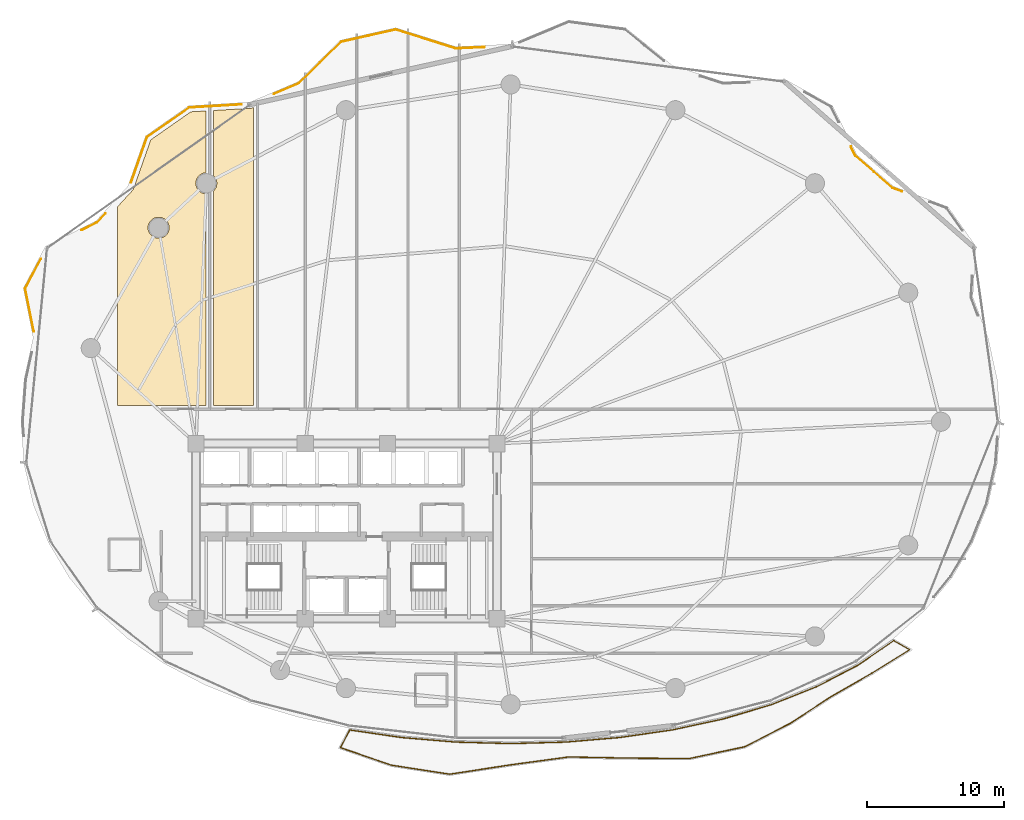
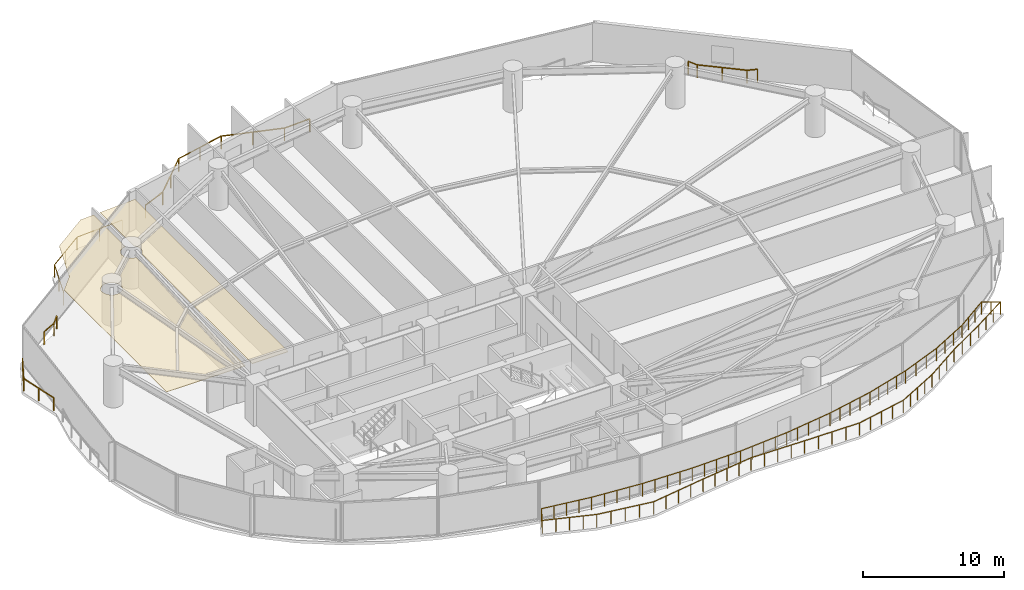
# One storey, part 30 of 31: 6 railings, 2 coverings.
"""IFC4 building model written with IfcOpenShell, lengths in metres."""

from ifc_helpers import new_model, si_unit, direction, frame, origin, origin_2d, place, context, subcontext, project, spatial, polyline, rectangle, outline, extrude, material, layer, layer_set, type_object, element, save


model = new_model("IFC4")

# Units and contexts
model_context = context("Model", 3, precision=1e-05, world=origin(), true_north=direction((0.0, 1.0)))
body_context = subcontext(model_context, "Body", "Model", "MODEL_VIEW")
ifc_project = project(units=[si_unit("LENGTHUNIT", "METRE"), si_unit("AREAUNIT", "SQUARE_METRE"), si_unit("VOLUMEUNIT", "CUBIC_METRE"), si_unit("PLANEANGLEUNIT", "RADIAN"), si_unit("MASSUNIT", "GRAM", prefix="KILO")], contexts=[model_context])

# Site, building, storey
site_placement = place(None, origin())
site = spatial("IfcSite", under=ifc_project, at=site_placement, CompositionType="ELEMENT")
building_placement = place(site_placement, origin())
building = spatial("IfcBuilding", under=site, at=building_placement, Name="Kazevale Care Tower and Concert Hall", CompositionType="ELEMENT")
storey_placement = place(building_placement, frame((0.0, 0.0, 60.0)))
storey = spatial("IfcBuildingStorey", under=building, at=storey_placement, Name="L15", CompositionType="ELEMENT", Elevation=60.0)

# Coverings
ifc_material_1 = material(Name="Acoustic Plaster and Hinoki Wood", Category="wood")
ifc_layer = layer(ifc_material_1, 0.0400390625)
ifc_layer_set = layer_set([ifc_layer], Name="Acoustic Plaster and Hinoki Wood")
covering_type = type_object("IfcCoveringType", Name="Acoustic Perforated Wood-Gypsum Ceiling", PredefinedType="CEILING", material=ifc_layer_set)
covering_1_placement = place(storey_placement, frame((0.0, 0.0, 2.7099609375)))
element("IfcCovering", 1, at=covering_1_placement, inside=storey, type_object=covering_type, Name="clg:L15:1", PredefinedType="CEILING", context=body_context, shape_type="SweptSolid", body=[
    extrude(outline(polyline([(22.719970703125, 60.717041015625), (22.719970703125, 56.2060546875), (22.4619140625, 56.15087890625), (22.2080078125, 55.98193359375), (22.0390625, 55.72802734375), (21.97998046875, 55.429931640625), (22.0390625, 55.132080078125), (22.2080078125, 54.8779296875), (22.4619140625, 54.708984375), (22.719970703125, 54.654052734375), (22.719970703125, 39.205078125), (16.280029296875, 39.205078125), (16.280029296875, 53.735107421875), (17.4130859375, 54.966064453125), (18.69189453125, 58.60302734375), (21.6201171875, 60.652099609375), (22.719970703125, 60.717041015625)]), holes=[polyline([(20.034912109375, 52.33203125), (19.9189453125, 52.613037109375), (19.702880859375, 52.8291015625), (19.422119140625, 52.945068359375), (19.117919921875, 52.945068359375), (18.8369140625, 52.8291015625), (18.62109375, 52.613037109375), (18.5048828125, 52.33203125), (18.5048828125, 52.028076171875), (18.62109375, 51.7470703125), (18.8369140625, 51.531005859375), (19.117919921875, 51.4150390625), (19.422119140625, 51.4150390625), (19.702880859375, 51.531005859375), (19.9189453125, 51.7470703125), (20.034912109375, 52.028076171875), (20.034912109375, 52.33203125)])]), origin(), (0.0, 0.0, 1.0), 0.0400390625),
])
covering_2_placement = place(storey_placement, frame((0.0, 0.0, 2.7099609375)))
element("IfcCovering", 2, at=covering_2_placement, inside=storey, type_object=covering_type, Name="clg:L15:2", PredefinedType="CEILING", context=body_context, shape_type="SweptSolid", body=[
    extrude(outline(polyline([(23.280029296875, 54.85302734375), (23.48095703125, 55.132080078125), (23.5400390625, 55.429931640625), (23.48095703125, 55.72802734375), (23.280029296875, 56.007080078125), (23.280029296875, 60.75), (26.06005859375, 60.9150390625), (26.219970703125, 60.98291015625), (26.219970703125, 39.205078125), (23.280029296875, 39.205078125), (23.280029296875, 54.85302734375)])), origin(), (0.0, 0.0, 1.0), 0.0400390625),
])

# Railings
ifc_material_2 = material(Name="Anodised Bronze Aluminium and Laminated Glass", Category="aluminium")
railing_type = type_object("IfcRailingType", Name="Balcony and Terrace Balustrade 1120", PredefinedType="BALUSTRADE", material=ifc_material_2)
railing_1_placement = place(storey_placement, frame((10.15087890625, 44.5859375, 0.0)))
element("IfcRailing", 3, at=railing_1_placement, inside=storey, type_object=railing_type, Name="rail:L15:perim:2", PredefinedType="BALUSTRADE", context=body_context, shape_type="SweptSolid", body=[
    extrude(rectangle(XDim=0.048095703125, YDim=0.048095703125, at=origin_2d()), frame((0.0, 0.0, 1.09619140625), z_axis=(-0.197415517723, 0.980319903584, 0.0), x_axis=(-0.980319903584, -0.197415517723, 0.0)), (0.0, 0.0, 1.0), 3.21533203125),
    extrude(rectangle(XDim=0.048095703125, YDim=0.048095703125, at=origin_2d()), frame((-0.634765625, 3.152099609375, 1.09619140625), z_axis=(0.467294009077, 0.884101978892, 0.0), x_axis=(-0.884101978892, 0.467294009077, 0.0)), (0.0, 0.0, 1.0), 2.45654296875),
    extrude(rectangle(XDim=0.0419921875, YDim=0.0419921875, at=origin_2d()), origin(), (0.0, 0.0, 1.0), 1.072021484375),
    extrude(rectangle(XDim=0.0419921875, YDim=0.0419921875, at=origin_2d()), frame((-0.3173828125, 1.576171875, 0.0)), (0.0, 0.0, 1.0), 1.072021484375),
    extrude(rectangle(XDim=0.0419921875, YDim=0.0419921875, at=origin_2d()), frame((-0.634765625, 3.152099609375, 0.0)), (0.0, 0.0, 1.0), 1.072021484375),
    extrude(rectangle(XDim=0.0419921875, YDim=0.0419921875, at=origin_2d()), frame((-0.060791015625, 4.238037109375, 0.0)), (0.0, 0.0, 1.0), 1.072021484375),
    extrude(rectangle(XDim=0.0419921875, YDim=0.0419921875, at=origin_2d()), frame((0.51318359375, 5.323974609375, 0.0)), (0.0, 0.0, 1.0), 1.072021484375),
])
railing_2_placement = place(storey_placement, frame((13.639892578125, 52.0, 0.0)))
element("IfcRailing", 4, at=railing_2_placement, inside=storey, type_object=railing_type, Name="rail:L15:perim:3", PredefinedType="BALUSTRADE", context=body_context, shape_type="SweptSolid", body=[
    extrude(rectangle(XDim=0.048095703125, YDim=0.048095703125, at=origin_2d()), frame((0.0, 0.0, 1.09619140625), z_axis=(0.892998785329, 0.450059073235, 0.0), x_axis=(-0.450059073235, 0.892998785329, 0.0)), (0.0, 0.0, 1.0), 1.268798828125),
    extrude(rectangle(XDim=0.048095703125, YDim=0.048095703125, at=origin_2d()), frame((1.133056640625, 0.571044921875, 1.09619140625), z_axis=(0.677347108978, 0.735663573898, 0.0), x_axis=(-0.735663573898, 0.677347108978, 0.0)), (0.0, 0.0, 1.0), 0.8916015625),
    extrude(rectangle(XDim=0.0419921875, YDim=0.0419921875, at=origin_2d()), origin(), (0.0, 0.0, 1.0), 1.072021484375),
    extrude(rectangle(XDim=0.0419921875, YDim=0.0419921875, at=origin_2d()), frame((1.133056640625, 0.571044921875, 0.0)), (0.0, 0.0, 1.0), 1.072021484375),
    extrude(rectangle(XDim=0.0419921875, YDim=0.0419921875, at=origin_2d()), frame((1.737060546875, 1.22705078125, 0.0)), (0.0, 0.0, 1.0), 1.072021484375),
])
railing_3_placement = place(storey_placement, frame((17.256103515625, 55.485107421875, 0.0)))
element("IfcRailing", 5, at=railing_3_placement, inside=storey, type_object=railing_type, Name="rail:L15:perim:4", PredefinedType="BALUSTRADE", context=body_context, shape_type="SweptSolid", body=[
    extrude(rectangle(XDim=0.048095703125, YDim=0.048095703125, at=origin_2d()), frame((0.0, 0.0, 1.09619140625), z_axis=(0.331789638428, 0.943353399226, 0.0), x_axis=(-0.943353399226, 0.331789638428, 0.0)), (0.0, 0.0, 1.0), 3.520263671875),
    extrude(rectangle(XDim=0.048095703125, YDim=0.048095703125, at=origin_2d()), frame((1.16796875, 3.32080078125, 1.09619140625), z_axis=(0.819317150276, 0.573340568304, 0.0), x_axis=(-0.573340568304, 0.819317150276, 0.0)), (0.0, 0.0, 1.0), 3.767578125),
    extrude(rectangle(XDim=0.048095703125, YDim=0.048095703125, at=origin_2d()), frame((4.2548828125, 5.48095703125, 1.09619140625), z_axis=(0.998243706138, 0.05924105971, 0.0), x_axis=(-0.05924105971, 0.998243706138, 0.0)), (0.0, 0.0, 1.0), 3.832763671875),
    extrude(rectangle(XDim=0.0419921875, YDim=0.0419921875, at=origin_2d()), origin(), (0.0, 0.0, 1.0), 1.072021484375),
    extrude(rectangle(XDim=0.0419921875, YDim=0.0419921875, at=origin_2d()), frame((0.583984375, 1.660400390625, 0.0)), (0.0, 0.0, 1.0), 1.072021484375),
    extrude(rectangle(XDim=0.0419921875, YDim=0.0419921875, at=origin_2d()), frame((1.16796875, 3.32080078125, 0.0)), (0.0, 0.0, 1.0), 1.072021484375),
    extrude(rectangle(XDim=0.0419921875, YDim=0.0419921875, at=origin_2d()), frame((2.71142578125, 4.40087890625, 0.0)), (0.0, 0.0, 1.0), 1.072021484375),
    extrude(rectangle(XDim=0.0419921875, YDim=0.0419921875, at=origin_2d()), frame((4.2548828125, 5.48095703125, 0.0)), (0.0, 0.0, 1.0), 1.072021484375),
    extrude(rectangle(XDim=0.0419921875, YDim=0.0419921875, at=origin_2d()), frame((6.16796875, 5.594482421875, 0.0)), (0.0, 0.0, 1.0), 1.072021484375),
    extrude(rectangle(XDim=0.0419921875, YDim=0.0419921875, at=origin_2d()), frame((8.080810546875, 5.7080078125, 0.0)), (0.0, 0.0, 1.0), 1.072021484375),
])
railing_4_placement = place(storey_placement, frame((27.69091796875, 61.9580078125, 0.0)))
element("IfcRailing", 6, at=railing_4_placement, inside=storey, type_object=railing_type, Name="rail:L15:perim:5", PredefinedType="BALUSTRADE", context=body_context, shape_type="SweptSolid", body=[
    extrude(rectangle(XDim=0.048095703125, YDim=0.048095703125, at=origin_2d()), frame((0.0, 0.0, 1.09619140625), z_axis=(0.920032063091, 0.391843084517, 0.0), x_axis=(-0.391843084517, 0.920032063091, 0.0)), (0.0, 0.0, 1.0), 2.01611328125),
    extrude(rectangle(XDim=0.048095703125, YDim=0.048095703125, at=origin_2d()), frame((1.85498046875, 0.7900390625, 1.09619140625), z_axis=(0.711782228396, 0.702400213083, 0.0), x_axis=(-0.702400213083, 0.711782228396, 0.0)), (0.0, 0.0, 1.0), 4.293701171875),
    extrude(rectangle(XDim=0.048095703125, YDim=0.048095703125, at=origin_2d()), frame((4.9111328125, 3.805908203125, 1.09619140625), z_axis=(0.975507116128, 0.219967875798, 0.0), x_axis=(-0.219967875798, 0.975507116128, 0.0)), (0.0, 0.0, 1.0), 4.09228515625),
    extrude(rectangle(XDim=0.048095703125, YDim=0.048095703125, at=origin_2d()), frame((8.903076171875, 4.7060546875, 1.09619140625), z_axis=(0.953872379176, -0.300212398553, 0.0), x_axis=(0.300212398553, 0.953872379176, 0.0)), (0.0, 0.0, 1.0), 4.590576171875),
    extrude(rectangle(XDim=0.048095703125, YDim=0.048095703125, at=origin_2d()), frame((13.281982421875, 3.327880859375, 1.09619140625), z_axis=(0.999070924125, 0.043096270926, 0.0), x_axis=(-0.043096270926, 0.999070924125, 0.0)), (0.0, 0.0, 1.0), 2.113037109375),
    extrude(rectangle(XDim=0.0419921875, YDim=0.0419921875, at=origin_2d()), origin(), (0.0, 0.0, 1.0), 1.072021484375),
    extrude(rectangle(XDim=0.0419921875, YDim=0.0419921875, at=origin_2d()), frame((1.85498046875, 0.7900390625, 0.0)), (0.0, 0.0, 1.0), 1.072021484375),
    extrude(rectangle(XDim=0.0419921875, YDim=0.0419921875, at=origin_2d()), frame((3.383056640625, 2.2978515625, 0.0)), (0.0, 0.0, 1.0), 1.072021484375),
    extrude(rectangle(XDim=0.0419921875, YDim=0.0419921875, at=origin_2d()), frame((4.9111328125, 3.805908203125, 0.0)), (0.0, 0.0, 1.0), 1.072021484375),
    extrude(rectangle(XDim=0.0419921875, YDim=0.0419921875, at=origin_2d()), frame((6.9072265625, 4.255859375, 0.0)), (0.0, 0.0, 1.0), 1.072021484375),
    extrude(rectangle(XDim=0.0419921875, YDim=0.0419921875, at=origin_2d()), frame((8.903076171875, 4.7060546875, 0.0)), (0.0, 0.0, 1.0), 1.072021484375),
    extrude(rectangle(XDim=0.0419921875, YDim=0.0419921875, at=origin_2d()), frame((11.092529296875, 4.01708984375, 0.0)), (0.0, 0.0, 1.0), 1.072021484375),
    extrude(rectangle(XDim=0.0419921875, YDim=0.0419921875, at=origin_2d()), frame((13.281982421875, 3.327880859375, 0.0)), (0.0, 0.0, 1.0), 1.072021484375),
    extrude(rectangle(XDim=0.0419921875, YDim=0.0419921875, at=origin_2d()), frame((15.39306640625, 3.4189453125, 0.0)), (0.0, 0.0, 1.0), 1.072021484375),
])
railing_5_placement = place(storey_placement, frame((69.863037109375, 58.112060546875, 0.0)))
element("IfcRailing", 7, at=railing_5_placement, inside=storey, type_object=railing_type, Name="rail:L15:perim:9", PredefinedType="BALUSTRADE", context=body_context, shape_type="SweptSolid", body=[
    extrude(rectangle(XDim=0.048095703125, YDim=0.048095703125, at=origin_2d()), frame((0.0, 0.0, 1.09619140625), z_axis=(0.444393893797, -0.895831494845, 0.0), x_axis=(0.895831494845, 0.444393893797, 0.0)), (0.0, 0.0, 1.0), 0.762451171875),
    extrude(rectangle(XDim=0.048095703125, YDim=0.048095703125, at=origin_2d()), frame((0.3388671875, -0.68310546875, 1.09619140625), z_axis=(0.75707551803, -0.653327375823, 0.0), x_axis=(0.653327375823, 0.75707551803, 0.0)), (0.0, 0.0, 1.0), 3.586181640625),
    extrude(rectangle(XDim=0.048095703125, YDim=0.048095703125, at=origin_2d()), frame((3.053955078125, -3.026123046875, 1.09619140625), z_axis=(0.936649557244, -0.350267907344, 0.0), x_axis=(0.350267907344, 0.936649557244, 0.0)), (0.0, 0.0, 1.0), 0.750732421875),
    extrude(rectangle(XDim=0.0419921875, YDim=0.0419921875, at=origin_2d()), origin(), (0.0, 0.0, 1.0), 1.072021484375),
    extrude(rectangle(XDim=0.0419921875, YDim=0.0419921875, at=origin_2d()), frame((0.3388671875, -0.68310546875, 0.0)), (0.0, 0.0, 1.0), 1.072021484375),
    extrude(rectangle(XDim=0.0419921875, YDim=0.0419921875, at=origin_2d()), frame((1.6962890625, -1.8544921875, 0.0)), (0.0, 0.0, 1.0), 1.072021484375),
    extrude(rectangle(XDim=0.0419921875, YDim=0.0419921875, at=origin_2d()), frame((3.053955078125, -3.026123046875, 0.0)), (0.0, 0.0, 1.0), 1.072021484375),
    extrude(rectangle(XDim=0.0419921875, YDim=0.0419921875, at=origin_2d()), frame((3.757080078125, -3.2890625, 0.0)), (0.0, 0.0, 1.0), 1.072021484375),
])
railing_6_placement = place(storey_placement, frame((33.239990234375, 15.469970703125, 0.0)))
element("IfcRailing", 8, at=railing_6_placement, inside=storey, type_object=railing_type, Name="rail:L15:balcony", PredefinedType="BALUSTRADE", context=body_context, shape_type="SweptSolid", body=[
    extrude(rectangle(XDim=0.048095703125, YDim=0.048095703125, at=origin_2d()), frame((0.0, 0.0, 1.09619140625), z_axis=(0.98954153526, -0.144248223541, 0.0), x_axis=(0.144248223541, 0.98954153526, 0.0)), (0.0, 0.0, 1.0), 3.820068359375),
    extrude(rectangle(XDim=0.048095703125, YDim=0.048095703125, at=origin_2d()), frame((3.780029296875, -0.551025390625, 1.09619140625), z_axis=(0.996491809711, -0.083690341016, 0.0), x_axis=(0.083690341016, 0.996491809711, 0.0)), (0.0, 0.0, 1.0), 3.97900390625),
    extrude(rectangle(XDim=0.048095703125, YDim=0.048095703125, at=origin_2d()), frame((7.7451171875, -0.884033203125, 1.09619140625), z_axis=(0.999619139625, -0.027596660954, 0.0), x_axis=(0.027596660954, 0.999619139625, 0.0)), (0.0, 0.0, 1.0), 4.016357421875),
    extrude(rectangle(XDim=0.048095703125, YDim=0.048095703125, at=origin_2d()), frame((11.760009765625, -0.994873046875, 1.09619140625), z_axis=(0.999619139625, 0.027596660954, 0.0), x_axis=(-0.027596660954, 0.999619139625, 0.0)), (0.0, 0.0, 1.0), 4.016357421875),
    extrude(rectangle(XDim=0.048095703125, YDim=0.048095703125, at=origin_2d()), frame((15.77490234375, -0.884033203125, 1.09619140625), z_axis=(0.996491809711, 0.083690341016, 0.0), x_axis=(-0.083690341016, 0.996491809711, 0.0)), (0.0, 0.0, 1.0), 3.97900390625),
    extrude(rectangle(XDim=0.048095703125, YDim=0.048095703125, at=origin_2d()), frame((19.739990234375, -0.551025390625, 1.09619140625), z_axis=(0.989562148583, 0.144106745477, 0.0), x_axis=(-0.144106745477, 0.989562148583, 0.0)), (0.0, 0.0, 1.0), 3.90673828125),
    extrude(rectangle(XDim=0.048095703125, YDim=0.048095703125, at=origin_2d()), frame((23.60595703125, 0.011962890625, 1.09619140625), z_axis=(0.977622623243, 0.210366362622, 0.0), x_axis=(-0.210366362622, 0.977622623243, 0.0)), (0.0, 0.0, 1.0), 3.80322265625),
    extrude(rectangle(XDim=0.048095703125, YDim=0.048095703125, at=origin_2d()), frame((27.323974609375, 0.81201171875, 1.09619140625), z_axis=(0.958576059845, 0.28483668565, 0.0), x_axis=(-0.28483668565, 0.958576059845, 0.0)), (0.0, 0.0, 1.0), 3.67626953125),
    extrude(rectangle(XDim=0.048095703125, YDim=0.048095703125, at=origin_2d()), frame((30.847900390625, 1.859130859375, 1.09619140625), z_axis=(0.929364745906, 0.369162794803, 0.0), x_axis=(-0.369162794803, 0.929364745906, 0.0)), (0.0, 0.0, 1.0), 3.534912109375),
    extrude(rectangle(XDim=0.048095703125, YDim=0.048095703125, at=origin_2d()), frame((34.133056640625, 3.1640625, 1.09619140625), z_axis=(0.886249621896, 0.463207952965, 0.0), x_axis=(-0.463207952965, 0.886249621896, 0.0)), (0.0, 0.0, 1.0), 3.3916015625),
    extrude(rectangle(XDim=0.048095703125, YDim=0.048095703125, at=origin_2d()), frame((37.138916015625, 4.735107421875, 1.09619140625), z_axis=(0.825224295989, 0.564805153402, 0.0), x_axis=(-0.564805153402, 0.825224295989, 0.0)), (0.0, 0.0, 1.0), 3.17626953125),
    extrude(rectangle(XDim=0.048095703125, YDim=0.048095703125, at=origin_2d()), frame((39.760009765625, 6.529052734375, 1.09619140625), z_axis=(0.870074231568, -0.49292071529, 0.0), x_axis=(0.49292071529, 0.870074231568, 0.0)), (0.0, 0.0, 1.0), 1.34130859375),
    extrude(rectangle(XDim=0.048095703125, YDim=0.048095703125, at=origin_2d()), frame((40.927001953125, 5.867919921875, 1.09619140625), z_axis=(-0.849366024121, -0.52780427913, 0.0), x_axis=(0.52780427913, -0.849366024121, 0.0)), (0.0, 0.0, 1.0), 3.262451171875),
    extrude(rectangle(XDim=0.048095703125, YDim=0.048095703125, at=origin_2d()), frame((38.156005859375, 4.14599609375, 1.09619140625), z_axis=(-0.867074580716, -0.498178353078, 0.0), x_axis=(0.498178353078, -0.867074580716, 0.0)), (0.0, 0.0, 1.0), 3.478515625),
    extrude(rectangle(XDim=0.048095703125, YDim=0.048095703125, at=origin_2d()), frame((35.139892578125, 2.4130859375, 1.09619140625), z_axis=(-0.836151980864, -0.548497825791, 0.0), x_axis=(0.548497825791, -0.836151980864, 0.0)), (0.0, 0.0, 1.0), 3.496826171875),
    extrude(rectangle(XDim=0.048095703125, YDim=0.048095703125, at=origin_2d()), frame((32.216064453125, 0.4951171875, 1.09619140625), z_axis=(-0.889021964417, -0.457864550695, 0.0), x_axis=(0.457864550695, -0.889021964417, 0.0)), (0.0, 0.0, 1.0), 3.748046875),
    extrude(rectangle(XDim=0.048095703125, YDim=0.048095703125, at=origin_2d()), frame((28.884033203125, -1.220947265625, 1.09619140625), z_axis=(-0.978051319828, -0.208364142266, 0.0), x_axis=(0.208364142266, -0.978051319828, 0.0)), (0.0, 0.0, 1.0), 4.165283203125),
    extrude(rectangle(XDim=0.048095703125, YDim=0.048095703125, at=origin_2d()), frame((24.81005859375, -2.0888671875, 1.09619140625), z_axis=(-0.9999695836, 0.007799479135, 0.0), x_axis=(-0.007799479135, -0.9999695836, 0.0)), (0.0, 0.0, 1.0), 4.476318359375),
    extrude(rectangle(XDim=0.048095703125, YDim=0.048095703125, at=origin_2d()), frame((20.333984375, -2.053955078125, 1.09619140625), z_axis=(-0.999817479955, 0.019105150519, 0.0), x_axis=(-0.019105150519, -0.999817479955, 0.0)), (0.0, 0.0, 1.0), 4.3447265625),
    extrude(rectangle(XDim=0.048095703125, YDim=0.048095703125, at=origin_2d()), frame((15.989990234375, -1.970947265625, 1.09619140625), z_axis=(-0.99083155438, -0.135103037882, 0.0), x_axis=(0.135103037882, -0.99083155438, 0.0)), (0.0, 0.0, 1.0), 4.286376953125),
    extrude(rectangle(XDim=0.048095703125, YDim=0.048095703125, at=origin_2d()), frame((11.742919921875, -2.550048828125, 1.09619140625), z_axis=(-0.988433847852, -0.151652657149, 0.0), x_axis=(0.151652657149, -0.988433847852, 0.0)), (0.0, 0.0, 1.0), 4.489990234375),
    extrude(rectangle(XDim=0.048095703125, YDim=0.048095703125, at=origin_2d()), frame((7.304931640625, -3.23095703125, 1.09619140625), z_axis=(-0.988250449008, 0.152843220442, 0.0), x_axis=(-0.152843220442, -0.988250449008, 0.0)), (0.0, 0.0, 1.0), 4.317626953125),
    extrude(rectangle(XDim=0.048095703125, YDim=0.048095703125, at=origin_2d()), frame((3.0380859375, -2.571044921875, 1.09619140625), z_axis=(-0.945380238076, 0.325969638856, 0.0), x_axis=(-0.325969638856, -0.945380238076, 0.0)), (0.0, 0.0, 1.0), 3.932861328125),
    extrude(rectangle(XDim=0.048095703125, YDim=0.048095703125, at=origin_2d()), frame((-0.679931640625, -1.2890625, 1.09619140625), z_axis=(0.466540234237, 0.884499977297, 0.0), x_axis=(-0.884499977297, 0.466540234237, 0.0)), (0.0, 0.0, 1.0), 1.457275390625),
    extrude(rectangle(XDim=0.0419921875, YDim=0.0419921875, at=origin_2d()), origin(), (0.0, 0.0, 1.0), 1.072021484375),
    extrude(rectangle(XDim=0.0419921875, YDim=0.0419921875, at=origin_2d()), frame((0.945068359375, -0.1376953125, 0.0)), (0.0, 0.0, 1.0), 1.072021484375),
    extrude(rectangle(XDim=0.0419921875, YDim=0.0419921875, at=origin_2d()), frame((1.89013671875, -0.275390625, 0.0)), (0.0, 0.0, 1.0), 1.072021484375),
    extrude(rectangle(XDim=0.0419921875, YDim=0.0419921875, at=origin_2d()), frame((2.8349609375, -0.413330078125, 0.0)), (0.0, 0.0, 1.0), 1.072021484375),
    extrude(rectangle(XDim=0.0419921875, YDim=0.0419921875, at=origin_2d()), frame((3.780029296875, -0.551025390625, 0.0)), (0.0, 0.0, 1.0), 1.072021484375),
    extrude(rectangle(XDim=0.0419921875, YDim=0.0419921875, at=origin_2d()), frame((4.771240234375, -0.63427734375, 0.0)), (0.0, 0.0, 1.0), 1.072021484375),
    extrude(rectangle(XDim=0.0419921875, YDim=0.0419921875, at=origin_2d()), frame((5.7626953125, -0.717529296875, 0.0)), (0.0, 0.0, 1.0), 1.072021484375),
    extrude(rectangle(XDim=0.0419921875, YDim=0.0419921875, at=origin_2d()), frame((6.75390625, -0.80078125, 0.0)), (0.0, 0.0, 1.0), 1.072021484375),
    extrude(rectangle(XDim=0.0419921875, YDim=0.0419921875, at=origin_2d()), frame((7.7451171875, -0.884033203125, 0.0)), (0.0, 0.0, 1.0), 1.072021484375),
    extrude(rectangle(XDim=0.0419921875, YDim=0.0419921875, at=origin_2d()), frame((8.748779296875, -0.91162109375, 0.0)), (0.0, 0.0, 1.0), 1.072021484375),
    extrude(rectangle(XDim=0.0419921875, YDim=0.0419921875, at=origin_2d()), frame((9.75244140625, -0.939453125, 0.0)), (0.0, 0.0, 1.0), 1.072021484375),
    extrude(rectangle(XDim=0.0419921875, YDim=0.0419921875, at=origin_2d()), frame((10.75634765625, -0.96728515625, 0.0)), (0.0, 0.0, 1.0), 1.072021484375),
    extrude(rectangle(XDim=0.0419921875, YDim=0.0419921875, at=origin_2d()), frame((11.760009765625, -0.994873046875, 0.0)), (0.0, 0.0, 1.0), 1.072021484375),
    extrude(rectangle(XDim=0.0419921875, YDim=0.0419921875, at=origin_2d()), frame((12.763671875, -0.96728515625, 0.0)), (0.0, 0.0, 1.0), 1.072021484375),
    extrude(rectangle(XDim=0.0419921875, YDim=0.0419921875, at=origin_2d()), frame((13.767578125, -0.939453125, 0.0)), (0.0, 0.0, 1.0), 1.072021484375),
    extrude(rectangle(XDim=0.0419921875, YDim=0.0419921875, at=origin_2d()), frame((14.771240234375, -0.91162109375, 0.0)), (0.0, 0.0, 1.0), 1.072021484375),
    extrude(rectangle(XDim=0.0419921875, YDim=0.0419921875, at=origin_2d()), frame((15.77490234375, -0.884033203125, 0.0)), (0.0, 0.0, 1.0), 1.072021484375),
    extrude(rectangle(XDim=0.0419921875, YDim=0.0419921875, at=origin_2d()), frame((16.76611328125, -0.80078125, 0.0)), (0.0, 0.0, 1.0), 1.072021484375),
    extrude(rectangle(XDim=0.0419921875, YDim=0.0419921875, at=origin_2d()), frame((17.75732421875, -0.717529296875, 0.0)), (0.0, 0.0, 1.0), 1.072021484375),
    extrude(rectangle(XDim=0.0419921875, YDim=0.0419921875, at=origin_2d()), frame((18.748779296875, -0.63427734375, 0.0)), (0.0, 0.0, 1.0), 1.072021484375),
    extrude(rectangle(XDim=0.0419921875, YDim=0.0419921875, at=origin_2d()), frame((19.739990234375, -0.551025390625, 0.0)), (0.0, 0.0, 1.0), 1.072021484375),
    extrude(rectangle(XDim=0.0419921875, YDim=0.0419921875, at=origin_2d()), frame((20.70654296875, -0.41015625, 0.0)), (0.0, 0.0, 1.0), 1.072021484375),
    extrude(rectangle(XDim=0.0419921875, YDim=0.0419921875, at=origin_2d()), frame((21.6728515625, -0.26953125, 0.0)), (0.0, 0.0, 1.0), 1.072021484375),
    extrude(rectangle(XDim=0.0419921875, YDim=0.0419921875, at=origin_2d()), frame((22.639404296875, -0.12890625, 0.0)), (0.0, 0.0, 1.0), 1.072021484375),
    extrude(rectangle(XDim=0.0419921875, YDim=0.0419921875, at=origin_2d()), frame((23.60595703125, 0.011962890625, 0.0)), (0.0, 0.0, 1.0), 1.072021484375),
    extrude(rectangle(XDim=0.0419921875, YDim=0.0419921875, at=origin_2d()), frame((24.535400390625, 0.2119140625, 0.0)), (0.0, 0.0, 1.0), 1.072021484375),
    extrude(rectangle(XDim=0.0419921875, YDim=0.0419921875, at=origin_2d()), frame((25.46484375, 0.412109375, 0.0)), (0.0, 0.0, 1.0), 1.072021484375),
    extrude(rectangle(XDim=0.0419921875, YDim=0.0419921875, at=origin_2d()), frame((26.39453125, 0.612060546875, 0.0)), (0.0, 0.0, 1.0), 1.072021484375),
    extrude(rectangle(XDim=0.0419921875, YDim=0.0419921875, at=origin_2d()), frame((27.323974609375, 0.81201171875, 0.0)), (0.0, 0.0, 1.0), 1.072021484375),
    extrude(rectangle(XDim=0.0419921875, YDim=0.0419921875, at=origin_2d()), frame((28.205078125, 1.07373046875, 0.0)), (0.0, 0.0, 1.0), 1.072021484375),
    extrude(rectangle(XDim=0.0419921875, YDim=0.0419921875, at=origin_2d()), frame((29.0859375, 1.33544921875, 0.0)), (0.0, 0.0, 1.0), 1.072021484375),
    extrude(rectangle(XDim=0.0419921875, YDim=0.0419921875, at=origin_2d()), frame((29.966796875, 1.597412109375, 0.0)), (0.0, 0.0, 1.0), 1.072021484375),
    extrude(rectangle(XDim=0.0419921875, YDim=0.0419921875, at=origin_2d()), frame((30.847900390625, 1.859130859375, 0.0)), (0.0, 0.0, 1.0), 1.072021484375),
    extrude(rectangle(XDim=0.0419921875, YDim=0.0419921875, at=origin_2d()), frame((31.94287109375, 2.294189453125, 0.0)), (0.0, 0.0, 1.0), 1.072021484375),
    extrude(rectangle(XDim=0.0419921875, YDim=0.0419921875, at=origin_2d()), frame((33.0380859375, 2.72900390625, 0.0)), (0.0, 0.0, 1.0), 1.072021484375),
    extrude(rectangle(XDim=0.0419921875, YDim=0.0419921875, at=origin_2d()), frame((34.133056640625, 3.1640625, 0.0)), (0.0, 0.0, 1.0), 1.072021484375),
    extrude(rectangle(XDim=0.0419921875, YDim=0.0419921875, at=origin_2d()), frame((35.135009765625, 3.687744140625, 0.0)), (0.0, 0.0, 1.0), 1.072021484375),
    extrude(rectangle(XDim=0.0419921875, YDim=0.0419921875, at=origin_2d()), frame((36.136962890625, 4.21142578125, 0.0)), (0.0, 0.0, 1.0), 1.072021484375),
    extrude(rectangle(XDim=0.0419921875, YDim=0.0419921875, at=origin_2d()), frame((37.138916015625, 4.735107421875, 0.0)), (0.0, 0.0, 1.0), 1.072021484375),
    extrude(rectangle(XDim=0.0419921875, YDim=0.0419921875, at=origin_2d()), frame((38.0126953125, 5.3330078125, 0.0)), (0.0, 0.0, 1.0), 1.072021484375),
    extrude(rectangle(XDim=0.0419921875, YDim=0.0419921875, at=origin_2d()), frame((38.88623046875, 5.93115234375, 0.0)), (0.0, 0.0, 1.0), 1.072021484375),
    extrude(rectangle(XDim=0.0419921875, YDim=0.0419921875, at=origin_2d()), frame((39.760009765625, 6.529052734375, 0.0)), (0.0, 0.0, 1.0), 1.072021484375),
    extrude(rectangle(XDim=0.0419921875, YDim=0.0419921875, at=origin_2d()), frame((40.343505859375, 6.198486328125, 0.0)), (0.0, 0.0, 1.0), 1.072021484375),
    extrude(rectangle(XDim=0.0419921875, YDim=0.0419921875, at=origin_2d()), frame((40.927001953125, 5.867919921875, 0.0)), (0.0, 0.0, 1.0), 1.072021484375),
    extrude(rectangle(XDim=0.0419921875, YDim=0.0419921875, at=origin_2d()), frame((40.00341796875, 5.2939453125, 0.0)), (0.0, 0.0, 1.0), 1.072021484375),
    extrude(rectangle(XDim=0.0419921875, YDim=0.0419921875, at=origin_2d()), frame((39.07958984375, 4.719970703125, 0.0)), (0.0, 0.0, 1.0), 1.072021484375),
    extrude(rectangle(XDim=0.0419921875, YDim=0.0419921875, at=origin_2d()), frame((38.156005859375, 4.14599609375, 0.0)), (0.0, 0.0, 1.0), 1.072021484375),
    extrude(rectangle(XDim=0.0419921875, YDim=0.0419921875, at=origin_2d()), frame((37.150634765625, 3.568359375, 0.0)), (0.0, 0.0, 1.0), 1.072021484375),
    extrude(rectangle(XDim=0.0419921875, YDim=0.0419921875, at=origin_2d()), frame((36.145263671875, 2.99072265625, 0.0)), (0.0, 0.0, 1.0), 1.072021484375),
    extrude(rectangle(XDim=0.0419921875, YDim=0.0419921875, at=origin_2d()), frame((35.139892578125, 2.4130859375, 0.0)), (0.0, 0.0, 1.0), 1.072021484375),
    extrude(rectangle(XDim=0.0419921875, YDim=0.0419921875, at=origin_2d()), frame((34.165283203125, 1.773681640625, 0.0)), (0.0, 0.0, 1.0), 1.072021484375),
    extrude(rectangle(XDim=0.0419921875, YDim=0.0419921875, at=origin_2d()), frame((33.190673828125, 1.134521484375, 0.0)), (0.0, 0.0, 1.0), 1.072021484375),
    extrude(rectangle(XDim=0.0419921875, YDim=0.0419921875, at=origin_2d()), frame((32.216064453125, 0.4951171875, 0.0)), (0.0, 0.0, 1.0), 1.072021484375),
    extrude(rectangle(XDim=0.0419921875, YDim=0.0419921875, at=origin_2d()), frame((31.383056640625, 0.066162109375, 0.0)), (0.0, 0.0, 1.0), 1.072021484375),
    extrude(rectangle(XDim=0.0419921875, YDim=0.0419921875, at=origin_2d()), frame((30.550048828125, -0.36279296875, 0.0)), (0.0, 0.0, 1.0), 1.072021484375),
    extrude(rectangle(XDim=0.0419921875, YDim=0.0419921875, at=origin_2d()), frame((29.717041015625, -0.7919921875, 0.0)), (0.0, 0.0, 1.0), 1.072021484375),
    extrude(rectangle(XDim=0.0419921875, YDim=0.0419921875, at=origin_2d()), frame((28.884033203125, -1.220947265625, 0.0)), (0.0, 0.0, 1.0), 1.072021484375),
    extrude(rectangle(XDim=0.0419921875, YDim=0.0419921875, at=origin_2d()), frame((27.865478515625, -1.43798828125, 0.0)), (0.0, 0.0, 1.0), 1.072021484375),
    extrude(rectangle(XDim=0.0419921875, YDim=0.0419921875, at=origin_2d()), frame((26.84716796875, -1.65478515625, 0.0)), (0.0, 0.0, 1.0), 1.072021484375),
    extrude(rectangle(XDim=0.0419921875, YDim=0.0419921875, at=origin_2d()), frame((25.82861328125, -1.871826171875, 0.0)), (0.0, 0.0, 1.0), 1.072021484375),
    extrude(rectangle(XDim=0.0419921875, YDim=0.0419921875, at=origin_2d()), frame((24.81005859375, -2.0888671875, 0.0)), (0.0, 0.0, 1.0), 1.072021484375),
    extrude(rectangle(XDim=0.0419921875, YDim=0.0419921875, at=origin_2d()), frame((23.69091796875, -2.080078125, 0.0)), (0.0, 0.0, 1.0), 1.072021484375),
    extrude(rectangle(XDim=0.0419921875, YDim=0.0419921875, at=origin_2d()), frame((22.572021484375, -2.0712890625, 0.0)), (0.0, 0.0, 1.0), 1.072021484375),
    extrude(rectangle(XDim=0.0419921875, YDim=0.0419921875, at=origin_2d()), frame((21.453125, -2.062744140625, 0.0)), (0.0, 0.0, 1.0), 1.072021484375),
    extrude(rectangle(XDim=0.0419921875, YDim=0.0419921875, at=origin_2d()), frame((20.333984375, -2.053955078125, 0.0)), (0.0, 0.0, 1.0), 1.072021484375),
    extrude(rectangle(XDim=0.0419921875, YDim=0.0419921875, at=origin_2d()), frame((19.248046875, -2.033203125, 0.0)), (0.0, 0.0, 1.0), 1.072021484375),
    extrude(rectangle(XDim=0.0419921875, YDim=0.0419921875, at=origin_2d()), frame((18.162109375, -2.012451171875, 0.0)), (0.0, 0.0, 1.0), 1.072021484375),
    extrude(rectangle(XDim=0.0419921875, YDim=0.0419921875, at=origin_2d()), frame((17.075927734375, -1.99169921875, 0.0)), (0.0, 0.0, 1.0), 1.072021484375),
    extrude(rectangle(XDim=0.0419921875, YDim=0.0419921875, at=origin_2d()), frame((15.989990234375, -1.970947265625, 0.0)), (0.0, 0.0, 1.0), 1.072021484375),
    extrude(rectangle(XDim=0.0419921875, YDim=0.0419921875, at=origin_2d()), frame((14.92822265625, -2.11572265625, 0.0)), (0.0, 0.0, 1.0), 1.072021484375),
    extrude(rectangle(XDim=0.0419921875, YDim=0.0419921875, at=origin_2d()), frame((13.866455078125, -2.260498046875, 0.0)), (0.0, 0.0, 1.0), 1.072021484375),
    extrude(rectangle(XDim=0.0419921875, YDim=0.0419921875, at=origin_2d()), frame((12.8046875, -2.4052734375, 0.0)), (0.0, 0.0, 1.0), 1.072021484375),
    extrude(rectangle(XDim=0.0419921875, YDim=0.0419921875, at=origin_2d()), frame((11.742919921875, -2.550048828125, 0.0)), (0.0, 0.0, 1.0), 1.072021484375),
    extrude(rectangle(XDim=0.0419921875, YDim=0.0419921875, at=origin_2d()), frame((10.63330078125, -2.72021484375, 0.0)), (0.0, 0.0, 1.0), 1.072021484375),
    extrude(rectangle(XDim=0.0419921875, YDim=0.0419921875, at=origin_2d()), frame((9.52392578125, -2.890625, 0.0)), (0.0, 0.0, 1.0), 1.072021484375),
    extrude(rectangle(XDim=0.0419921875, YDim=0.0419921875, at=origin_2d()), frame((8.41455078125, -3.060791015625, 0.0)), (0.0, 0.0, 1.0), 1.072021484375),
    extrude(rectangle(XDim=0.0419921875, YDim=0.0419921875, at=origin_2d()), frame((7.304931640625, -3.23095703125, 0.0)), (0.0, 0.0, 1.0), 1.072021484375),
    extrude(rectangle(XDim=0.0419921875, YDim=0.0419921875, at=origin_2d()), frame((6.23828125, -3.06591796875, 0.0)), (0.0, 0.0, 1.0), 1.072021484375),
    extrude(rectangle(XDim=0.0419921875, YDim=0.0419921875, at=origin_2d()), frame((5.17138671875, -2.90087890625, 0.0)), (0.0, 0.0, 1.0), 1.072021484375),
    extrude(rectangle(XDim=0.0419921875, YDim=0.0419921875, at=origin_2d()), frame((4.104736328125, -2.736083984375, 0.0)), (0.0, 0.0, 1.0), 1.072021484375),
    extrude(rectangle(XDim=0.0419921875, YDim=0.0419921875, at=origin_2d()), frame((3.0380859375, -2.571044921875, 0.0)), (0.0, 0.0, 1.0), 1.072021484375),
    extrude(rectangle(XDim=0.0419921875, YDim=0.0419921875, at=origin_2d()), frame((2.108642578125, -2.25048828125, 0.0)), (0.0, 0.0, 1.0), 1.072021484375),
    extrude(rectangle(XDim=0.0419921875, YDim=0.0419921875, at=origin_2d()), frame((1.17919921875, -1.93017578125, 0.0)), (0.0, 0.0, 1.0), 1.072021484375),
    extrude(rectangle(XDim=0.0419921875, YDim=0.0419921875, at=origin_2d()), frame((0.24951171875, -1.609619140625, 0.0)), (0.0, 0.0, 1.0), 1.072021484375),
    extrude(rectangle(XDim=0.0419921875, YDim=0.0419921875, at=origin_2d()), frame((-0.679931640625, -1.2890625, 0.0)), (0.0, 0.0, 1.0), 1.072021484375),
    extrude(rectangle(XDim=0.0419921875, YDim=0.0419921875, at=origin_2d()), frame((-0.33984375, -0.64453125, 0.0)), (0.0, 0.0, 1.0), 1.072021484375),
])

save(model, "model.ifc")
